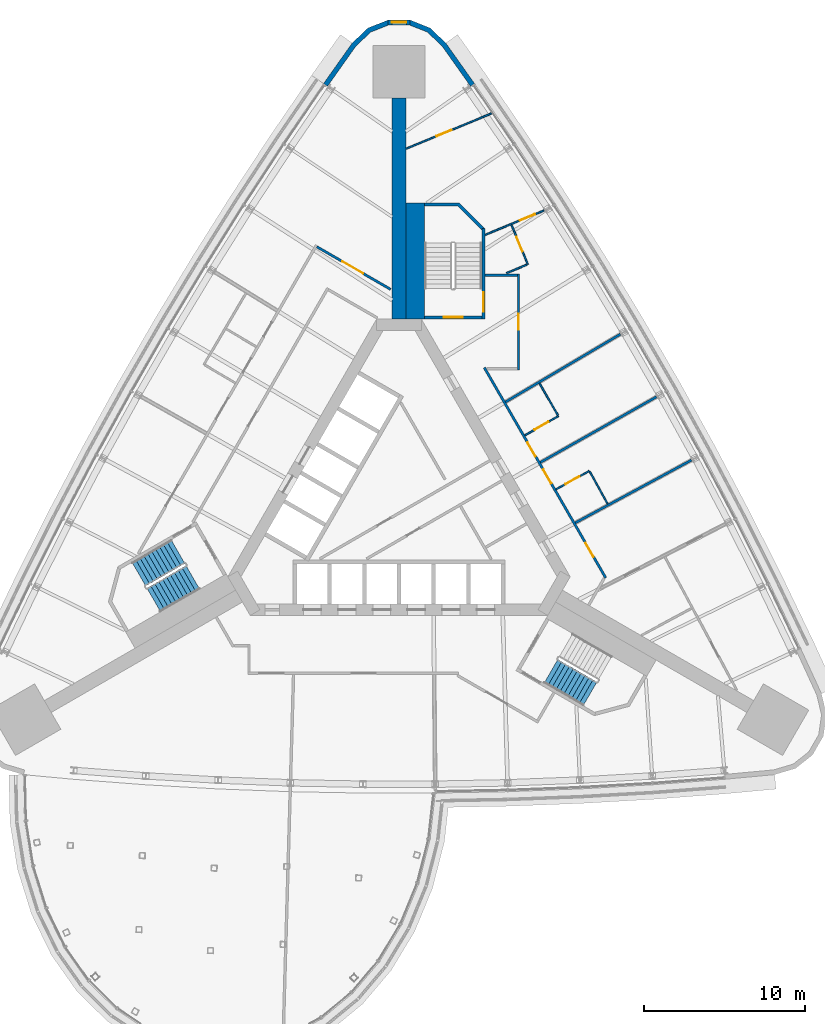
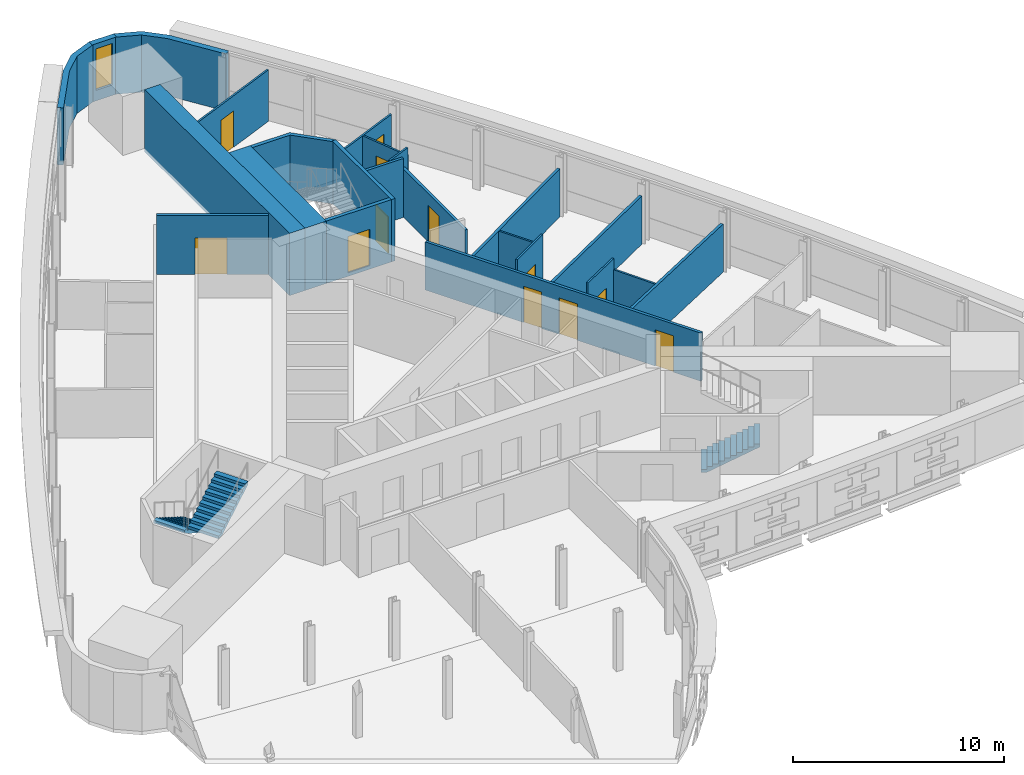
# One storey, part 11 of 15: 23 walls, 12 doors, 3 stair flights, 1 window, 13 openings, 2 elements without a shape of their own.
"""IFC4 building model written with IfcOpenShell, lengths in metres."""

from ifc_helpers import new_model, si_unit, direction, frame, frame_2d, origin, place, context, subcontext, project, spatial, polyline, rectangle, outline, extrude, material, layer, layer_set, type_object, element, fill, aggregate, save


model = new_model("IFC4")

# Units and contexts
model_context = context("Model", 3, precision=1e-05, world=origin(), true_north=direction((0.0, 1.0)))
body_context = subcontext(model_context, "Body", "Model", "MODEL_VIEW")
ifc_project = project(units=[si_unit("LENGTHUNIT", "METRE"), si_unit("AREAUNIT", "SQUARE_METRE"), si_unit("VOLUMEUNIT", "CUBIC_METRE"), si_unit("PLANEANGLEUNIT", "RADIAN"), si_unit("MASSUNIT", "GRAM", prefix="KILO")], contexts=[model_context])

# Site, building, storey
site_placement = place(None, origin())
site = spatial("IfcSite", under=ifc_project, at=site_placement, CompositionType="ELEMENT")
building_placement = place(site_placement, origin())
building = spatial("IfcBuilding", under=site, at=building_placement, Name="Noor Cloister Tower", CompositionType="ELEMENT")
storey_placement = place(building_placement, frame((0.0, 0.0, 58.199951171875)))
storey = spatial("IfcBuildingStorey", under=building, at=storey_placement, Name="L14", CompositionType="ELEMENT", Elevation=58.199951171875)

# Wall
ifc_material_1 = material(Name="Concrete C80/95", Category="concrete")
ifc_layer_1 = layer(ifc_material_1, 0.85009765625)
ifc_layer_set_1 = layer_set([ifc_layer_1], Name="Buttress wall 850 C80/95")
wall_type_1 = type_object("IfcWallType", Name="Buttress wall 850 C80/95", PredefinedType="SHEAR", material=ifc_layer_set_1)
wall_1_placement = place(storey_placement, frame((0.0, 11.456298828125, -0.199951171875), z_axis=(0.0, 0.0, 1.0), x_axis=(0.0, 1.0, 0.0)))
element("IfcWall", 1, at=wall_1_placement, inside=storey, type_object=wall_type_1, Name="Buttress wall N L14", PredefinedType="SHEAR", context=body_context, shape_type="SweptSolid", body=[
    extrude(rectangle(XDim=13.69873046875, YDim=0.85009765625, at=frame_2d((6.849365234375, 0.0))), origin(), (0.0, 0.0, 1.0), 3.60009765625),
])

# Wall, openings, doors
ifc_material_2 = material(Name="Gypsum board partition on steel studs, 150 mm", Category="steel")
ifc_layer_2 = layer(ifc_material_2, 0.14990234375)
ifc_layer_set_2 = layer_set([ifc_layer_2], Name="Flat wall 150")
wall_type_2 = type_object("IfcWallType", Name="Flat wall 150", PredefinedType="PARTITIONING", material=ifc_layer_set_2)
wall_2_placement = place(storey_placement, frame((5.28857421875, 8.4462890625, 0.0), z_axis=(0.0, 0.0, 1.0), x_axis=(0.499996620721, -0.866027354803, 0.0)))
wall_2 = element("IfcWall", 2, at=wall_2_placement, inside=storey, type_object=wall_type_2, Name="Flat wall 150 L14 003", PredefinedType="PARTITIONING", context=body_context, shape_type="SweptSolid", body=[
    extrude(rectangle(XDim=15.056640625, YDim=0.14990234375, at=frame_2d((7.5283203125, 0.0))), origin(), (0.0, 0.0, 1.0), 2.778076171875),
])
opening_1_placement = place(wall_2_placement, frame((12.562744140625, 0.0, 0.0)))
opening_1 = element("IfcOpeningElement", 3, at=opening_1_placement, cuts=wall_2, Name="Opening L14-006", PredefinedType="OPENING", context=body_context, shape_type="SweptSolid", body=[
    extrude(rectangle(XDim=1.0, YDim=2.10009765625, at=frame_2d((0.5, 1.050048828125))), frame((0.0, 0.0849609375, 0.0), z_axis=(0.0, -1.0, 0.0), x_axis=(1.0, 0.0, 0.0)), (0.0, 0.0, 1.0), 0.169921875),
])
opening_2_placement = place(wall_2_placement, frame((7.31201171875, 0.0, 0.0)))
opening_2 = element("IfcOpeningElement", 4, at=opening_2_placement, cuts=wall_2, Name="Opening L14-007", PredefinedType="OPENING", context=body_context, shape_type="SweptSolid", body=[
    extrude(rectangle(XDim=1.0, YDim=2.10009765625, at=frame_2d((0.5, 1.050048828125))), frame((0.0, 0.0849609375, 0.0), z_axis=(0.0, -1.0, 0.0), x_axis=(1.0, 0.0, 0.0)), (0.0, 0.0, 1.0), 0.169921875),
])
opening_3_placement = place(wall_2_placement, frame((5.35595703125, 0.0, 0.0)))
opening_3 = element("IfcOpeningElement", 5, at=opening_3_placement, cuts=wall_2, Name="Opening L14-008", PredefinedType="OPENING", context=body_context, shape_type="SweptSolid", body=[
    extrude(rectangle(XDim=1.0, YDim=2.10009765625, at=frame_2d((0.5, 1.050048828125))), frame((0.0, 0.0849609375, 0.0), z_axis=(0.0, -1.0, 0.0), x_axis=(1.0, 0.0, 0.0)), (0.0, 0.0, 1.0), 0.169921875),
])
ifc_material_3 = material(Name="Timber door leaf with steel frame", Category="steel")
door_type_1 = type_object("IfcDoorType", Name="Flat entrance door 1000 FD60S", OperationType="NOTDEFINED", PredefinedType="DOOR", material=ifc_material_3)
door_1_placement = place(opening_1_placement, origin())
door_1 = element("IfcDoor", 6, at=door_1_placement, inside=storey, type_object=door_type_1, Name="Flat entrance door 1000 L14-006", OperationType="SINGLE_SWING_RIGHT", OverallHeight=2.10009765625, OverallWidth=1.0, PredefinedType="DOOR", context=body_context, shape_type="SweptSolid", body=[
    extrude(rectangle(XDim=1.0, YDim=2.10009765625, at=frame_2d((0.5, 1.050048828125))), frame((0.0, 0.02490234375, 0.0), z_axis=(0.0, -1.0, 0.0), x_axis=(1.0, 0.0, 0.0)), (0.0, 0.0, 1.0), 0.050048828125),
])
fill(opening_1, door_1)
door_2_placement = place(opening_2_placement, origin())
door_2 = element("IfcDoor", 7, at=door_2_placement, inside=storey, type_object=door_type_1, Name="Flat entrance door 1000 L14-007", OperationType="SINGLE_SWING_RIGHT", OverallHeight=2.10009765625, OverallWidth=1.0, PredefinedType="DOOR", context=body_context, shape_type="SweptSolid", body=[
    extrude(rectangle(XDim=1.0, YDim=2.10009765625, at=frame_2d((0.5, 1.050048828125))), frame((0.0, 0.02490234375, 0.0), z_axis=(0.0, -1.0, 0.0), x_axis=(1.0, 0.0, 0.0)), (0.0, 0.0, 1.0), 0.050048828125),
])
fill(opening_2, door_2)
door_3_placement = place(opening_3_placement, origin())
door_3 = element("IfcDoor", 8, at=door_3_placement, inside=storey, type_object=door_type_1, Name="Flat entrance door 1000 L14-008", OperationType="SINGLE_SWING_LEFT", OverallHeight=2.10009765625, OverallWidth=1.0, PredefinedType="DOOR", context=body_context, shape_type="SweptSolid", body=[
    extrude(rectangle(XDim=1.0, YDim=2.10009765625, at=frame_2d((0.5, 1.050048828125))), frame((0.0, 0.02490234375, 0.0), z_axis=(0.0, -1.0, 0.0), x_axis=(1.0, 0.0, 0.0)), (0.0, 0.0, 1.0), 0.050048828125),
])
fill(opening_3, door_3)

# Wall, opening, door
wall_3_placement = place(storey_placement, frame((7.41064453125, 14.25634765625, 0.0), z_axis=(0.0, 0.0, 1.0), x_axis=(0.0, -1.0, 0.0)))
wall_3 = element("IfcWall", 9, at=wall_3_placement, inside=storey, type_object=wall_type_2, Name="Flat wall 150 L14 006", PredefinedType="PARTITIONING", context=body_context, shape_type="SweptSolid", body=[
    extrude(rectangle(XDim=5.949951171875, YDim=0.14990234375, at=frame_2d((2.97509765625, 0.0))), origin(), (0.0, 0.0, 1.0), 2.778076171875),
])
opening_4_placement = place(wall_3_placement, frame((2.47509765625, 0.0, 0.0)))
opening_4 = element("IfcOpeningElement", 10, at=opening_4_placement, cuts=wall_3, Name="Opening L14-012", PredefinedType="OPENING", context=body_context, shape_type="SweptSolid", body=[
    extrude(rectangle(XDim=1.0, YDim=2.10009765625, at=frame_2d((0.5, 1.050048828125))), frame((0.0, 0.0849609375, 0.0), z_axis=(0.0, -1.0, 0.0), x_axis=(1.0, 0.0, 0.0)), (0.0, 0.0, 1.0), 0.169921875),
])
door_4_placement = place(opening_4_placement, origin())
door_4 = element("IfcDoor", 11, at=door_4_placement, inside=storey, type_object=door_type_1, Name="Flat entrance door 1000 L14-012", OperationType="SINGLE_SWING_RIGHT", OverallHeight=2.10009765625, OverallWidth=1.0, PredefinedType="DOOR", context=body_context, shape_type="SweptSolid", body=[
    extrude(rectangle(XDim=1.0, YDim=2.10009765625, at=frame_2d((0.5, 1.050048828125))), frame((0.0, 0.02490234375, 0.0), z_axis=(0.0, -1.0, 0.0), x_axis=(1.0, 0.0, 0.0)), (0.0, 0.0, 1.0), 0.050048828125),
])
fill(opening_4, door_4)

wall_4_placement = place(storey_placement, frame((-5.093017578125, 15.93505859375, 0.0), z_axis=(0.0, 0.0, 1.0), x_axis=(0.866033195618, -0.499986503906, 0.0)))
wall_4 = element("IfcWall", 12, at=wall_4_placement, inside=storey, type_object=wall_type_2, Name="Flat wall 150 L14 007", PredefinedType="PARTITIONING", context=body_context, shape_type="SweptSolid", body=[
    extrude(rectangle(XDim=5.282470703125, YDim=0.14990234375, at=frame_2d((2.64111328125, 0.0))), origin(), (0.0, 0.0, 1.0), 3.400146484375),
])
opening_5_placement = place(wall_4_placement, frame((1.816162109375, 0.0, 0.0)))
opening_5 = element("IfcOpeningElement", 13, at=opening_5_placement, cuts=wall_4, Name="Opening L14-013", PredefinedType="OPENING", context=body_context, shape_type="SweptSolid", body=[
    extrude(rectangle(XDim=1.5, YDim=2.10009765625, at=frame_2d((0.75, 1.050048828125))), frame((0.0, 0.0849609375, 0.0), z_axis=(0.0, -1.0, 0.0), x_axis=(1.0, 0.0, 0.0)), (0.0, 0.0, 1.0), 0.169921875),
])
ifc_material_4 = material(Name="Timber door leaf with steel frame", Category="steel")
door_type_2 = type_object("IfcDoorType", Name="Double door 1500 FD60", OperationType="NOTDEFINED", PredefinedType="DOOR", material=ifc_material_4)
door_5_placement = place(opening_5_placement, origin())
door_5 = element("IfcDoor", 14, at=door_5_placement, inside=storey, type_object=door_type_2, Name="Double door 1500 L14-013", OperationType="DOUBLE_DOOR_SINGLE_SWING", OverallHeight=2.10009765625, OverallWidth=1.5, PredefinedType="DOOR", context=body_context, shape_type="SweptSolid", body=[
    extrude(rectangle(XDim=1.5, YDim=2.10009765625, at=frame_2d((0.75, 1.050048828125))), frame((0.0, 0.02490234375, 0.0), z_axis=(0.0, -1.0, 0.0), x_axis=(1.0, 0.0, 0.0)), (0.0, 0.0, 1.0), 0.050048828125),
])
fill(opening_5, door_5)

# Walls
wall_5_placement = place(storey_placement, frame((5.335693359375, 14.181396484375, 0.0), z_axis=(0.0, 0.0, 1.0), x_axis=(1.0, 0.0, 0.0)))
element("IfcWall", 15, at=wall_5_placement, inside=storey, type_object=wall_type_2, Name="Flat wall 150 L14 009", PredefinedType="PARTITIONING", context=body_context, shape_type="SweptSolid", body=[
    extrude(rectangle(XDim=2.0, YDim=0.14990234375, at=frame_2d((1.0, 0.0))), origin(), (0.0, 0.0, 1.0), 3.400146484375),
])
for number, where, z_axis, x_axis, name in (
    (16, (15.968505859375, 6.630126953125, 0.0), (0.0, 0.0, 1.0), (-0.870767403572, -0.491695158484, 0.0), "Flat wall 150 L14 017"),
    (17, (13.72607421875, 10.513916015625, 0.0), (0.0, 0.0, 1.0), (-0.861212761308, -0.508244606229, 0.0), "Flat wall 150 L14 018"),
):
    element("IfcWall", number, at=place(storey_placement, frame(where, z_axis=z_axis, x_axis=x_axis)), inside=storey, type_object=wall_type_2, Name=name, PredefinedType="PARTITIONING", context=body_context, shape_type="SweptSolid", body=[
        extrude(rectangle(XDim=8.265625, YDim=0.14990234375, at=frame_2d((4.1328125, 0.0))), origin(), (0.0, 0.0, 1.0), 2.778076171875),
    ])
wall_6_placement = place(storey_placement, frame((18.135986328125, 2.7041015625, 0.0), z_axis=(0.0, 0.0, 1.0), x_axis=(-0.879993465077, -0.474985790757, 0.0)))
element("IfcWall", 18, at=wall_6_placement, inside=storey, type_object=wall_type_2, Name="Flat wall 150 L14 019", PredefinedType="PARTITIONING", context=body_context, shape_type="SweptSolid", body=[
    extrude(rectangle(XDim=8.18115234375, YDim=0.14990234375, at=frame_2d((4.090576171875, 0.0))), origin(), (0.0, 0.0, 1.0), 2.778076171875),
])
ifc_material_5 = material(Name="Limestone", Category="masonry")
ifc_layer_3 = layer(ifc_material_5, 0.300048828125)
ifc_layer_set_3 = layer_set([ifc_layer_3], Name="Limestone cladding 300")
wall_type_3 = type_object("IfcWallType", Name="Limestone cladding 300", PredefinedType="NOTDEFINED", material=ifc_layer_set_3)
wall_7_placement = place(storey_placement, origin())
element("IfcWall", 19, at=wall_7_placement, inside=storey, type_object=wall_type_3, Name="Limestone pier cladding L14 3.1", PredefinedType="NOTDEFINED", context=body_context, shape_type="SweptSolid", body=[
    extrude(outline(polyline([(4.683837890625, 26.05810546875), (2.90087890625, 28.576171875), (1.923828125, 29.502197265625), (0.673095703125, 30.000732421875), (0.56201171875, 29.721923828125), (1.75927734375, 29.244873046875), (2.673095703125, 28.378662109375), (4.43896484375, 25.884765625), (4.683837890625, 26.05810546875)])), origin(), (0.0, 0.0, 1.0), 3.300048828125),
])

# Wall, opening, window
wall_8_placement = place(storey_placement, frame((-0.671142578125, 29.8505859375, 0.0), z_axis=(0.0, 0.0, 1.0), x_axis=(1.0, 0.0, 0.0)))
wall_8 = element("IfcWall", 20, at=wall_8_placement, inside=storey, type_object=wall_type_3, Name="Limestone pier wall L14 3.2", PredefinedType="NOTDEFINED", context=body_context, shape_type="SweptSolid", body=[
    extrude(rectangle(XDim=1.34228515625, YDim=0.300048828125, at=frame_2d((0.671142578125, 0.0))), origin(), (0.0, 0.0, 1.0), 3.300048828125),
])
opening_6_placement = place(wall_8_placement, frame((0.22119140625, 0.0, 0.60009765625)))
opening_6 = element("IfcOpeningElement", 21, at=opening_6_placement, cuts=wall_8, Name="Opening L14-C01", PredefinedType="OPENING", context=body_context, shape_type="SweptSolid", body=[
    extrude(rectangle(XDim=0.89990234375, YDim=2.39990234375, at=frame_2d((0.449951171875, 1.199951171875))), frame((0.0, 0.16015625, 0.0), z_axis=(0.0, -1.0, 0.0), x_axis=(1.0, 0.0, 0.0)), (0.0, 0.0, 1.0), 0.320068359375),
])
ifc_material_6 = material(Name="Aluminium 6063-T6 anodised", Category="aluminium")
window_type = type_object("IfcWindowType", Name="Corner lancet window 900 x 2400", PartitioningType="SINGLE_PANEL", PredefinedType="WINDOW", material=ifc_material_6)
window_placement = place(opening_6_placement, origin())
window = element("IfcWindow", 22, at=window_placement, inside=storey, type_object=window_type, Name="Corner window L14 1", OverallHeight=2.39990234375, OverallWidth=0.89990234375, PartitioningType="SINGLE_PANEL", PredefinedType="WINDOW", context=body_context, shape_type="SweptSolid", body=[
    extrude(rectangle(XDim=0.89990234375, YDim=2.39990234375, at=frame_2d((0.449951171875, 1.199951171875))), frame((0.0, 0.030029296875, 0.0), z_axis=(0.0, -1.0, 0.0), x_axis=(1.0, 0.0, 0.0)), (0.0, 0.0, 1.0), 0.06005859375),
])
fill(opening_6, window)

# Wall
wall_9_placement = place(storey_placement, origin())
element("IfcWall", 23, at=wall_9_placement, inside=storey, type_object=wall_type_3, Name="Limestone pier cladding L14 3.3", PredefinedType="NOTDEFINED", context=body_context, shape_type="SweptSolid", body=[
    extrude(outline(polyline([(-0.673095703125, 30.000732421875), (-1.923828125, 29.502197265625), (-2.90087890625, 28.576171875), (-4.683837890625, 26.05810546875), (-4.43896484375, 25.884765625), (-2.673095703125, 28.378662109375), (-1.75927734375, 29.244873046875), (-0.56201171875, 29.721923828125), (-0.673095703125, 30.000732421875)])), origin(), (0.0, 0.0, 1.0), 3.300048828125),
])

# Wall, opening, door
ifc_material_7 = material(Name="Gypsum board partition on steel studs, 100 mm", Category="steel")
ifc_layer_4 = layer(ifc_material_7, 0.10009765625)
ifc_layer_set_4 = layer_set([ifc_layer_4], Name="Partition 100")
wall_type_4 = type_object("IfcWallType", Name="Partition 100", PredefinedType="PARTITIONING", material=ifc_layer_set_4)
wall_10_placement = place(storey_placement, frame((0.444091796875, 22.017578125, 0.0), z_axis=(0.0, 0.0, 1.0), x_axis=(0.924087236974, 0.382181604032, 0.0)))
wall_10 = element("IfcWall", 24, at=wall_10_placement, inside=storey, type_object=wall_type_4, Name="Partition 100 L14 026", PredefinedType="PARTITIONING", context=body_context, shape_type="SweptSolid", body=[
    extrude(rectangle(XDim=5.744140625, YDim=0.10009765625, at=frame_2d((2.8720703125, 0.0))), origin(), (0.0, 0.0, 1.0), 2.97412109375),
])
opening_7_placement = place(wall_10_placement, frame((2.03466796875, 0.0, 0.0)))
opening_7 = element("IfcOpeningElement", 25, at=opening_7_placement, cuts=wall_10, Name="Opening L14-017", PredefinedType="OPENING", context=body_context, shape_type="SweptSolid", body=[
    extrude(rectangle(XDim=1.0, YDim=2.10009765625, at=frame_2d((0.5, 1.050048828125))), frame((0.0, 0.06005859375, 0.0), z_axis=(0.0, -1.0, 0.0), x_axis=(1.0, 0.0, 0.0)), (0.0, 0.0, 1.0), 0.1201171875),
])
ifc_material_8 = material(Name="Timber door leaf with steel frame", Category="steel")
door_type_3 = type_object("IfcDoorType", Name="Interior door 1000", OperationType="NOTDEFINED", PredefinedType="DOOR", material=ifc_material_8)
door_6_placement = place(opening_7_placement, origin())
door_6 = element("IfcDoor", 26, at=door_6_placement, inside=storey, type_object=door_type_3, Name="Interior door 1000 L14-017", OperationType="SINGLE_SWING_LEFT", OverallHeight=2.10009765625, OverallWidth=1.0, PredefinedType="DOOR", context=body_context, shape_type="SweptSolid", body=[
    extrude(rectangle(XDim=1.0, YDim=2.10009765625, at=frame_2d((0.5, 1.050048828125))), frame((0.0, 0.02490234375, 0.0), z_axis=(0.0, -1.0, 0.0), x_axis=(1.0, 0.0, 0.0)), (0.0, 0.0, 1.0), 0.050048828125),
])
fill(opening_7, door_6)

wall_11_placement = place(storey_placement, frame((5.354736328125, 16.681640625, 0.0), z_axis=(0.0, 0.0, 1.0), x_axis=(0.924098331332, 0.382154777583, 0.0)))
wall_11 = element("IfcWall", 27, at=wall_11_placement, inside=storey, type_object=wall_type_4, Name="Partition 100 L14 027", PredefinedType="PARTITIONING", context=body_context, shape_type="SweptSolid", body=[
    extrude(rectangle(XDim=3.9404296875, YDim=0.10009765625, at=frame_2d((1.97021484375, 0.0))), origin(), (0.0, 0.0, 1.0), 2.923095703125),
])
opening_8_placement = place(wall_11_placement, frame((2.330322265625, 0.0, 0.0)))
opening_8 = element("IfcOpeningElement", 28, at=opening_8_placement, cuts=wall_11, Name="Opening L14-018", PredefinedType="OPENING", context=body_context, shape_type="SweptSolid", body=[
    extrude(rectangle(XDim=1.0, YDim=2.10009765625, at=frame_2d((0.5, 1.050048828125))), frame((0.0, 0.06005859375, 0.0), z_axis=(0.0, -1.0, 0.0), x_axis=(1.0, 0.0, 0.0)), (0.0, 0.0, 1.0), 0.1201171875),
])
door_7_placement = place(opening_8_placement, origin())
door_7 = element("IfcDoor", 29, at=door_7_placement, inside=storey, type_object=door_type_3, Name="Interior door 1000 L14-018", OperationType="SINGLE_SWING_RIGHT", OverallHeight=2.10009765625, OverallWidth=1.0, PredefinedType="DOOR", context=body_context, shape_type="SweptSolid", body=[
    extrude(rectangle(XDim=1.0, YDim=2.10009765625, at=frame_2d((0.5, 1.050048828125))), frame((0.0, 0.02490234375, 0.0), z_axis=(0.0, -1.0, 0.0), x_axis=(1.0, 0.0, 0.0)), (0.0, 0.0, 1.0), 0.050048828125),
])
fill(opening_8, door_7)

wall_12_placement = place(storey_placement, frame((7.98779296875, 14.848876953125, 0.0), z_axis=(0.0, 0.0, 1.0), x_axis=(-0.382167332206, 0.92409313935, 0.0)))
wall_12 = element("IfcWall", 30, at=wall_12_placement, inside=storey, type_object=wall_type_4, Name="Partition 100 L14 029", PredefinedType="PARTITIONING", context=body_context, shape_type="SweptSolid", body=[
    extrude(rectangle(XDim=2.64990234375, YDim=0.10009765625, at=frame_2d((1.324951171875, 0.0))), origin(), (0.0, 0.0, 1.0), 2.923095703125),
])
opening_9_placement = place(wall_12_placement, frame((0.85009765625, 0.0, 0.0)))
opening_9 = element("IfcOpeningElement", 31, at=opening_9_placement, cuts=wall_12, Name="Opening L14-019", PredefinedType="OPENING", context=body_context, shape_type="SweptSolid", body=[
    extrude(rectangle(XDim=1.0, YDim=2.10009765625, at=frame_2d((0.5, 1.050048828125))), frame((0.0, 0.06005859375, 0.0), z_axis=(0.0, -1.0, 0.0), x_axis=(1.0, 0.0, 0.0)), (0.0, 0.0, 1.0), 0.1201171875),
])
door_8_placement = place(opening_9_placement, origin())
door_8 = element("IfcDoor", 32, at=door_8_placement, inside=storey, type_object=door_type_3, Name="Interior door 1000 L14-019", OperationType="SINGLE_SWING_RIGHT", OverallHeight=2.10009765625, OverallWidth=1.0, PredefinedType="DOOR", context=body_context, shape_type="SweptSolid", body=[
    extrude(rectangle(XDim=1.0, YDim=2.10009765625, at=frame_2d((0.5, 1.050048828125))), frame((0.0, 0.02490234375, 0.0), z_axis=(0.0, -1.0, 0.0), x_axis=(1.0, 0.0, 0.0)), (0.0, 0.0, 1.0), 0.050048828125),
])
fill(opening_9, door_8)

wall_13_placement = place(storey_placement, frame((7.80517578125, 4.237548828125, 0.0), z_axis=(0.0, 0.0, 1.0), x_axis=(0.866024647952, 0.500001309137, 0.0)))
wall_13 = element("IfcWall", 33, at=wall_13_placement, inside=storey, type_object=wall_type_4, Name="Partition 100 L14 030", PredefinedType="PARTITIONING", context=body_context, shape_type="SweptSolid", body=[
    extrude(rectangle(XDim=2.39990234375, YDim=0.10009765625, at=frame_2d((1.199951171875, 0.0))), origin(), (0.0, 0.0, 1.0), 3.400146484375),
])
opening_10_placement = place(wall_13_placement, frame((0.699951171875, 0.0, 0.0)))
opening_10 = element("IfcOpeningElement", 34, at=opening_10_placement, cuts=wall_13, Name="Opening L14-020", PredefinedType="OPENING", context=body_context, shape_type="SweptSolid", body=[
    extrude(rectangle(XDim=1.0, YDim=2.10009765625, at=frame_2d((0.5, 1.050048828125))), frame((0.0, 0.06005859375, 0.0), z_axis=(0.0, -1.0, 0.0), x_axis=(1.0, 0.0, 0.0)), (0.0, 0.0, 1.0), 0.1201171875),
])
door_9_placement = place(opening_10_placement, origin())
door_9 = element("IfcDoor", 35, at=door_9_placement, inside=storey, type_object=door_type_3, Name="Interior door 1000 L14-020", OperationType="SINGLE_SWING_LEFT", OverallHeight=2.10009765625, OverallWidth=1.0, PredefinedType="DOOR", context=body_context, shape_type="SweptSolid", body=[
    extrude(rectangle(XDim=1.0, YDim=2.10009765625, at=frame_2d((0.5, 1.050048828125))), frame((0.0, 0.02490234375, 0.0), z_axis=(0.0, -1.0, 0.0), x_axis=(1.0, 0.0, 0.0)), (0.0, 0.0, 1.0), 0.050048828125),
])
fill(opening_10, door_9)

wall_14_placement = place(storey_placement, frame((11.805908203125, 2.0361328125, 0.0), z_axis=(0.0, 0.0, 1.0), x_axis=(-0.875396838765, -0.483404979991, 0.0)))
wall_14 = element("IfcWall", 36, at=wall_14_placement, inside=storey, type_object=wall_type_4, Name="Partition 100 L14 031", PredefinedType="PARTITIONING", context=body_context, shape_type="SweptSolid", body=[
    extrude(rectangle(XDim=2.363525390625, YDim=0.10009765625, at=frame_2d((1.181640625, 0.0))), origin(), (0.0, 0.0, 1.0), 3.400146484375),
])
opening_11_placement = place(wall_14_placement, frame((0.699951171875, 0.0, 0.0)))
opening_11 = element("IfcOpeningElement", 37, at=opening_11_placement, cuts=wall_14, Name="Opening L14-021", PredefinedType="OPENING", context=body_context, shape_type="SweptSolid", body=[
    extrude(rectangle(XDim=1.0, YDim=2.10009765625, at=frame_2d((0.5, 1.050048828125))), frame((0.0, 0.06005859375, 0.0), z_axis=(0.0, -1.0, 0.0), x_axis=(1.0, 0.0, 0.0)), (0.0, 0.0, 1.0), 0.1201171875),
])
door_10_placement = place(opening_11_placement, origin())
door_10 = element("IfcDoor", 38, at=door_10_placement, inside=storey, type_object=door_type_3, Name="Interior door 1000 L14-021", OperationType="SINGLE_SWING_RIGHT", OverallHeight=2.10009765625, OverallWidth=1.0, PredefinedType="DOOR", context=body_context, shape_type="SweptSolid", body=[
    extrude(rectangle(XDim=1.0, YDim=2.10009765625, at=frame_2d((0.5, 1.050048828125))), frame((0.0, 0.02490234375, 0.0), z_axis=(0.0, -1.0, 0.0), x_axis=(1.0, 0.0, 0.0)), (0.0, 0.0, 1.0), 0.050048828125),
])
fill(opening_11, door_10)

# Walls
wall_15_placement = place(storey_placement, frame((12.938720703125, -0.015380859375, 0.0), z_axis=(0.0, 0.0, 1.0), x_axis=(-0.483372784024, 0.875414617004, 0.0)))
element("IfcWall", 39, at=wall_15_placement, inside=storey, type_object=wall_type_4, Name="Partition 100 L14 032", PredefinedType="PARTITIONING", context=body_context, shape_type="SweptSolid", body=[
    extrude(rectangle(XDim=2.29345703125, YDim=0.10009765625, at=frame_2d((1.146728515625, 0.0))), origin(), (0.0, 0.0, 1.0), 2.778076171875),
])
wall_16_placement = place(storey_placement, frame((8.7119140625, 7.467041015625, 0.0), z_axis=(0.0, 0.0, 1.0), x_axis=(0.499940558499, -0.866059719631, 0.0)))
element("IfcWall", 40, at=wall_16_placement, inside=storey, type_object=wall_type_4, Name="Partition 100 L14 033", PredefinedType="PARTITIONING", context=body_context, shape_type="SweptSolid", body=[
    extrude(rectangle(XDim=2.293212890625, YDim=0.10009765625, at=frame_2d((1.146484375, 0.0))), origin(), (0.0, 0.0, 1.0), 2.778076171875),
])
wall_17_placement = place(storey_placement, frame((6.6669921875, 14.302490234375, 0.0), z_axis=(0.0, 0.0, 1.0), x_axis=(0.924079363502, 0.382200640958, 0.0)))
element("IfcWall", 41, at=wall_17_placement, inside=storey, type_object=wall_type_4, Name="Partition 100 L14 036", PredefinedType="PARTITIONING", context=body_context, shape_type="SweptSolid", body=[
    extrude(rectangle(XDim=1.379150390625, YDim=0.10009765625, at=frame_2d((0.689453125, 0.0))), origin(), (0.0, 0.0, 1.0), 3.400146484375),
])
ifc_material_9 = material(Name="Concrete C80/95", Category="concrete")
ifc_layer_5 = layer(ifc_material_9, 1.160888671875)
ifc_layer_set_5 = layer_set([ifc_layer_5], Name="Stair enclosure wall 1161 C80/95")
wall_type_5 = type_object("IfcWallType", Name="Stair enclosure wall 1161 C80/95", PredefinedType="SHEAR", material=ifc_layer_set_5)
wall_18_placement = place(storey_placement, frame((1.00537109375, 11.456298828125, -0.199951171875), z_axis=(0.0, 0.0, 1.0), x_axis=(0.0, 1.0, 0.0)))
element("IfcWall", 42, at=wall_18_placement, inside=storey, type_object=wall_type_5, Name="Stair enclosure wall ST1 L14 riser side", PredefinedType="SHEAR", context=body_context, shape_type="SweptSolid", body=[
    extrude(rectangle(XDim=7.2001953125, YDim=1.16064453125, at=frame_2d((3.60009765625, 0.0))), origin(), (0.0, 0.0, 1.0), 3.60009765625),
])

# Wall, opening, door
ifc_material_10 = material(Name="Concrete C80/95", Category="concrete")
ifc_layer_6 = layer(ifc_material_10, 0.199951171875)
ifc_layer_set_6 = layer_set([ifc_layer_6], Name="Stair enclosure wall 200 C80/95")
wall_type_6 = type_object("IfcWallType", Name="Stair enclosure wall 200 C80/95", PredefinedType="SHEAR", material=ifc_layer_set_6)
wall_19_placement = place(storey_placement, frame((5.135498046875, 11.556396484375, -0.199951171875), z_axis=(0.0, 0.0, 1.0), x_axis=(-1.0, 0.0, 0.0)))
wall_19 = element("IfcWall", 43, at=wall_19_placement, inside=storey, type_object=wall_type_6, Name="Stair enclosure wall ST1 L14 near end", PredefinedType="SHEAR", context=body_context, shape_type="SweptSolid", body=[
    extrude(rectangle(XDim=3.5498046875, YDim=0.199951171875, at=frame_2d((1.77490234375, 0.0))), origin(), (0.0, 0.0, 1.0), 3.60009765625),
])
opening_12_placement = place(wall_19_placement, frame((1.175048828125, 0.0, 0.199951171875)))
opening_12 = element("IfcOpeningElement", 44, at=opening_12_placement, cuts=wall_19, Name="Opening L14-ST1L", PredefinedType="OPENING", context=body_context, shape_type="SweptSolid", body=[
    extrude(rectangle(XDim=1.199951171875, YDim=2.10009765625, at=frame_2d((0.60009765625, 1.050048828125))), frame((0.0, 0.10986328125, 0.0), z_axis=(0.0, -1.0, 0.0), x_axis=(1.0, 0.0, 0.0)), (0.0, 0.0, 1.0), 0.219970703125),
])
ifc_material_11 = material(Name="Steel", Category="steel")
door_type_4 = type_object("IfcDoorType", Name="Stair door 1200 x 2100 FD120", OperationType="SINGLE_SWING_LEFT", PredefinedType="DOOR", material=ifc_material_11)
door_11_placement = place(opening_12_placement, origin())
door_11 = element("IfcDoor", 45, at=door_11_placement, inside=storey, type_object=door_type_4, Name="Stair door ST1 L14", OperationType="SINGLE_SWING_RIGHT", OverallHeight=2.10009765625, OverallWidth=1.199951171875, PredefinedType="DOOR", context=body_context, shape_type="SweptSolid", body=[
    extrude(rectangle(XDim=1.199951171875, YDim=2.10009765625, at=frame_2d((0.60009765625, 1.050048828125))), frame((0.0, 0.02490234375, 0.0), z_axis=(0.0, -1.0, 0.0), x_axis=(1.0, 0.0, 0.0)), (0.0, 0.0, 1.0), 0.050048828125),
])
fill(opening_12, door_11)

wall_20_placement = place(storey_placement, frame((5.235595703125, 11.456298828125, -0.199951171875), z_axis=(0.0, 0.0, 1.0), x_axis=(0.0, 1.0, 0.0)))
wall_20 = element("IfcWall", 46, at=wall_20_placement, inside=storey, type_object=wall_type_6, Name="Stair enclosure wall ST1 L14 outer side", PredefinedType="SHEAR", context=body_context, shape_type="SweptSolid", body=[
    extrude(rectangle(XDim=5.60009765625, YDim=0.199951171875, at=frame_2d((2.800048828125, 0.0))), origin(), (0.0, 0.0, 1.0), 3.60009765625),
])
opening_13_placement = place(wall_20_placement, frame((0.449951171875, 0.0, 0.199951171875)))
opening_13 = element("IfcOpeningElement", 47, at=opening_13_placement, cuts=wall_20, Name="Opening L14-ST1C", PredefinedType="OPENING", context=body_context, shape_type="SweptSolid", body=[
    extrude(rectangle(XDim=1.199951171875, YDim=2.10009765625, at=frame_2d((0.60009765625, 1.050048828125))), frame((0.0, 0.10986328125, 0.0), z_axis=(0.0, -1.0, 0.0), x_axis=(1.0, 0.0, 0.0)), (0.0, 0.0, 1.0), 0.219970703125),
])
door_12_placement = place(opening_13_placement, origin())
door_12 = element("IfcDoor", 48, at=door_12_placement, inside=storey, type_object=door_type_4, Name="Stair door ST1 L14", OperationType="SINGLE_SWING_LEFT", OverallHeight=2.10009765625, OverallWidth=1.199951171875, PredefinedType="DOOR", context=body_context, shape_type="SweptSolid", body=[
    extrude(rectangle(XDim=1.199951171875, YDim=2.10009765625, at=frame_2d((0.60009765625, 1.050048828125))), frame((0.0, 0.02490234375, 0.0), z_axis=(0.0, -1.0, 0.0), x_axis=(1.0, 0.0, 0.0)), (0.0, 0.0, 1.0), 0.050048828125),
])
fill(opening_13, door_12)

# Wall
ifc_material_12 = material(Name="Concrete C80/95", Category="concrete")
wall_type_7 = type_object("IfcWallType", Name="Stair far end wall C80/95", PredefinedType="SHEAR", material=ifc_material_12)
wall_21_placement = place(storey_placement, frame((0.0, 0.0, -0.199951171875)))
element("IfcWall", 49, at=wall_21_placement, inside=storey, type_object=wall_type_7, Name="Stair enclosure wall ST1 L14 far end", PredefinedType="SHEAR", context=body_context, shape_type="SweptSolid", body=[
    extrude(outline(polyline([(5.335693359375, 17.056396484375), (3.735595703125, 18.656494140625), (1.585693359375, 18.656494140625), (1.585693359375, 18.456298828125), (3.65283203125, 18.456298828125), (5.135498046875, 16.9736328125), (5.135498046875, 17.056396484375), (5.135498046875, 17.056396484375), (5.135498046875, 17.056396484375), (5.135498046875, 17.056396484375), (5.135498046875, 17.056396484375), (5.135498046875, 17.056396484375), (5.135498046875, 17.056396484375), (5.135498046875, 17.056396484375), (5.135498046875, 17.056396484375), (5.135498046875, 17.056396484375), (5.135498046875, 17.056396484375), (5.135498046875, 17.056396484375), (5.135498046875, 17.056396484375), (5.135498046875, 17.056396484375), (5.135498046875, 17.056396484375), (5.135498046875, 17.056396484375), (5.135498046875, 17.056396484375), (5.335693359375, 17.056396484375)])), origin(), (0.0, 0.0, 1.0), 3.60009765625),
])

# Stair, stair flights
ifc_material_13 = material(Name="Concrete C40/50", Category="concrete")
stair_type = type_object("IfcStairType", Name="Exit stair 22 risers", PredefinedType="HALF_TURN_STAIR", material=ifc_material_13)
stair_1_placement = place(storey_placement, origin())
stair_1 = element("IfcStair", 50, at=stair_1_placement, inside=storey, type_object=stair_type, Name="Exit stair ST2 L14", PredefinedType="HALF_TURN_STAIR")
ifc_material_14 = material(Name="Concrete C40/50", Category="concrete")
stair_flight_type = type_object("IfcStairFlightType", Name="Exit stair flight", PredefinedType="STRAIGHT", material=ifc_material_14)
stair_flight_1_placement = place(storey_placement, frame((-13.709716796875, -2.966796875, 0.0), z_axis=(0.0, 0.0, 1.0), x_axis=(-0.866025403784, -0.5, 0.0)))
stair_flight_1 = element("IfcStairFlight", 51, at=stair_flight_1_placement, type_object=stair_flight_type, Name="ST2 flight 1", NumberOfRisers=11, NumberOfTreads=10, PredefinedType="STRAIGHT", RiserHeight=0.163636364, TreadLength=0.28, context=body_context, shape_type="SweptSolid", body=[
    extrude(outline(polyline([(0.0, 0.0), (0.0, 0.16357421875), (0.280029296875, 0.16357421875), (0.280029296875, 0.327392578125), (0.56005859375, 0.327392578125), (0.56005859375, 0.490966796875), (0.840087890625, 0.490966796875), (0.840087890625, 0.654541015625), (1.1201171875, 0.654541015625), (1.1201171875, 0.818115234375), (1.39990234375, 0.818115234375), (1.39990234375, 0.98193359375), (1.679931640625, 0.98193359375), (1.679931640625, 1.1455078125), (1.9599609375, 1.1455078125), (1.9599609375, 1.30908203125), (2.239990234375, 1.30908203125), (2.239990234375, 1.47265625), (2.52001953125, 1.47265625), (2.52001953125, 1.636474609375), (2.800048828125, 1.636474609375), (2.800048828125, 1.800048828125), (2.800048828125, 1.462646484375), (0.297119140625, 0.0), (0.0, 0.0)])), frame((0.0, 0.85009765625, 0.0), z_axis=(0.0, -1.0, 0.0), x_axis=(1.0, 0.0, 0.0)), (0.0, 0.0, 1.0), 1.699951171875),
])
stair_flight_2_placement = place(storey_placement, frame((-15.209716796875, -5.968994140625, 1.800048828125), z_axis=(0.0, 0.0, 1.0), x_axis=(0.866025403784, 0.5, 0.0)))
stair_flight_2 = element("IfcStairFlight", 52, at=stair_flight_2_placement, type_object=stair_flight_type, Name="ST2 flight 2", NumberOfRisers=11, NumberOfTreads=10, PredefinedType="STRAIGHT", RiserHeight=0.163636364, TreadLength=0.28, context=body_context, shape_type="SweptSolid", body=[
    extrude(outline(polyline([(0.0, 0.0), (0.0, 0.16357421875), (0.280029296875, 0.16357421875), (0.280029296875, 0.327392578125), (0.56005859375, 0.327392578125), (0.56005859375, 0.490966796875), (0.840087890625, 0.490966796875), (0.840087890625, 0.654541015625), (1.1201171875, 0.654541015625), (1.1201171875, 0.818115234375), (1.39990234375, 0.818115234375), (1.39990234375, 0.98193359375), (1.679931640625, 0.98193359375), (1.679931640625, 1.1455078125), (1.9599609375, 1.1455078125), (1.9599609375, 1.30908203125), (2.239990234375, 1.30908203125), (2.239990234375, 1.47265625), (2.52001953125, 1.47265625), (2.52001953125, 1.636474609375), (2.800048828125, 1.636474609375), (2.800048828125, 1.800048828125), (2.800048828125, 1.462646484375), (0.297119140625, 0.0), (0.0, 0.0)])), frame((0.0, 0.85009765625, 0.0), z_axis=(0.0, -1.0, 0.0), x_axis=(1.0, 0.0, 0.0)), (0.0, 0.0, 1.0), 1.699951171875),
])
aggregate(stair_1, [stair_flight_1, stair_flight_2])

# Stair, stair flight
stair_2_placement = place(storey_placement, origin())
stair_2 = element("IfcStair", 53, at=stair_2_placement, inside=storey, type_object=stair_type, Name="Exit stair ST3 L14", PredefinedType="HALF_TURN_STAIR")
stair_flight_3_placement = place(storey_placement, frame((9.424072265625, -10.3896484375, 0.0), z_axis=(0.0, 0.0, 1.0), x_axis=(0.866025403784, -0.5, 0.0)))
stair_flight_3 = element("IfcStairFlight", 54, at=stair_flight_3_placement, type_object=stair_flight_type, Name="ST3 flight 1", NumberOfRisers=11, NumberOfTreads=10, PredefinedType="STRAIGHT", RiserHeight=0.163636364, TreadLength=0.28, context=body_context, shape_type="SweptSolid", body=[
    extrude(outline(polyline([(0.0, 0.0), (0.0, 0.16357421875), (0.280029296875, 0.16357421875), (0.280029296875, 0.327392578125), (0.56005859375, 0.327392578125), (0.56005859375, 0.490966796875), (0.840087890625, 0.490966796875), (0.840087890625, 0.654541015625), (1.1201171875, 0.654541015625), (1.1201171875, 0.818115234375), (1.39990234375, 0.818115234375), (1.39990234375, 0.98193359375), (1.679931640625, 0.98193359375), (1.679931640625, 1.1455078125), (1.9599609375, 1.1455078125), (1.9599609375, 1.30908203125), (2.239990234375, 1.30908203125), (2.239990234375, 1.47265625), (2.52001953125, 1.47265625), (2.52001953125, 1.636474609375), (2.800048828125, 1.636474609375), (2.800048828125, 1.800048828125), (2.800048828125, 1.462646484375), (0.297119140625, 0.0), (0.0, 0.0)])), frame((0.0, 0.85009765625, 0.0), z_axis=(0.0, -1.0, 0.0), x_axis=(1.0, 0.0, 0.0)), (0.0, 0.0, 1.0), 1.699951171875),
])
aggregate(stair_2, [stair_flight_3])

save(model, "model.ifc")
